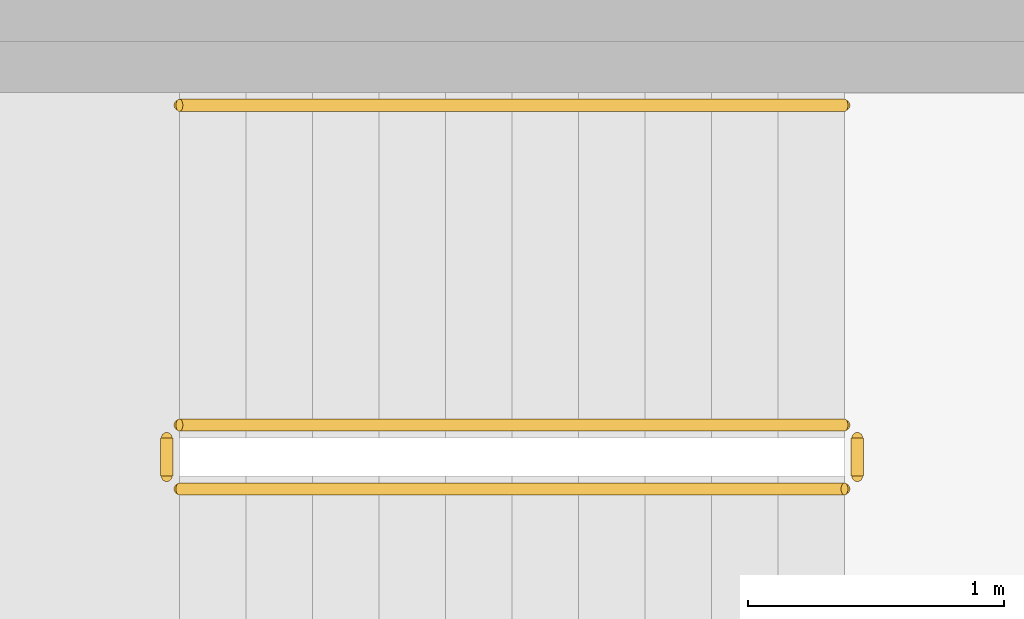
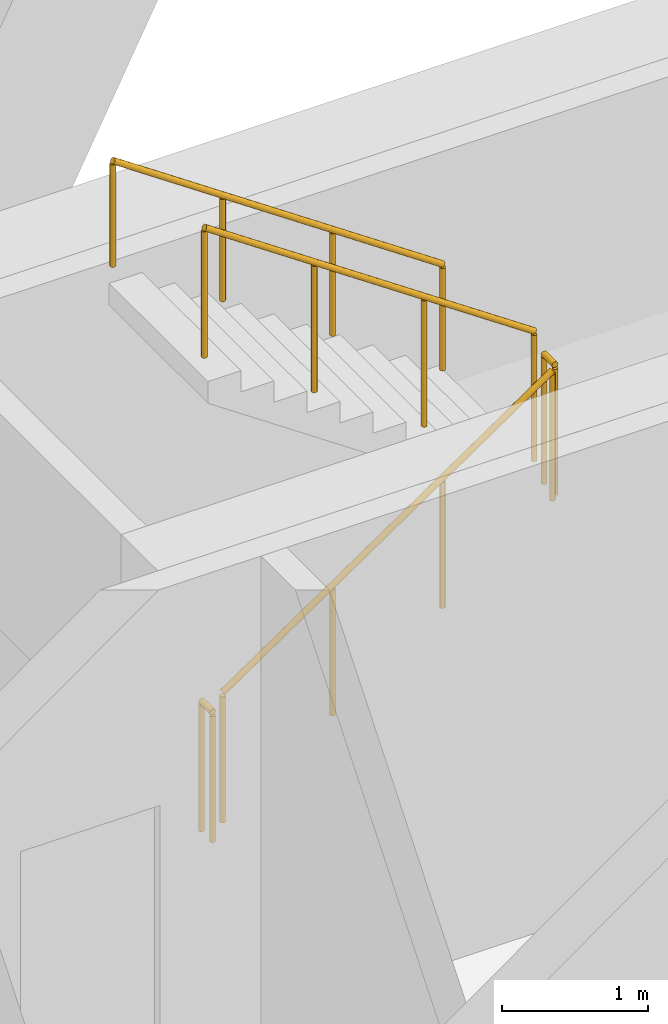
# One storey, part 9 of 9: 5 railings.
"""IFC4 building model written with IfcOpenShell, lengths in metres."""

from ifc_helpers import new_model, si_unit, direction, frame, origin, origin_2d, place, context, subcontext, project, spatial, circle, extrude, material, type_object, element, save


model = new_model("IFC4")

# Units and contexts
model_context = context("Model", 3, precision=1e-05, world=origin(), true_north=direction((0.0, 1.0)))
body_context = subcontext(model_context, "Body", "Model", "MODEL_VIEW")
ifc_project = project(units=[si_unit("LENGTHUNIT", "METRE"), si_unit("AREAUNIT", "SQUARE_METRE"), si_unit("VOLUMEUNIT", "CUBIC_METRE"), si_unit("PLANEANGLEUNIT", "RADIAN"), si_unit("MASSUNIT", "GRAM", prefix="KILO")], contexts=[model_context])

# Site, building, storey
site_placement = place(None, origin())
site = spatial("IfcSite", under=ifc_project, at=site_placement, CompositionType="ELEMENT")
building_placement = place(site_placement, origin())
building = spatial("IfcBuilding", under=site, at=building_placement, Name="White Candle Pilgrim Tower", CompositionType="ELEMENT")
storey_placement = place(building_placement, frame((0.0, 0.0, 271.699951171875)))
storey = spatial("IfcBuildingStorey", under=building, at=storey_placement, Name="L64", CompositionType="ELEMENT", Elevation=271.699951171875)

# Railings
ifc_material = material(Name="Stainless steel", Category="steel")
railing_type_1 = type_object("IfcRailingType", Name="Stair guard stainless steel 1100 mm", PredefinedType="GUARDRAIL", material=ifc_material)
railing_1_placement = place(storey_placement, frame((69.39990234375, 85.550048828125, 0.17724609375)))
element("IfcRailing", 1, at=railing_1_placement, inside=storey, type_object=railing_type_1, Name="L64 ST3 stair guard 1", PredefinedType="GUARDRAIL", context=body_context, shape_type="SweptSolid", body=[
    extrude(circle(Radius=0.02392578125, at=origin_2d()), frame((0.0, 0.0, 1.076171875), z_axis=(0.826240473404, 0.0, 0.563317565952), x_axis=(0.0, 1.0, 0.0)), (0.0, 0.0, 1.0), 3.14697265625),
    extrude(circle(Radius=0.02099609375, at=origin_2d()), origin(), (0.0, 0.0, 1.0), 1.052001953125),
    extrude(circle(Radius=0.02099609375, at=origin_2d()), frame((0.86669921875, 0.0, 0.5908203125)), (0.0, 0.0, 1.0), 1.052001953125),
    extrude(circle(Radius=0.02099609375, at=origin_2d()), frame((1.7333984375, 0.0, 1.181884765625)), (0.0, 0.0, 1.0), 1.052001953125),
    extrude(circle(Radius=0.02099609375, at=origin_2d()), frame((2.60009765625, 0.0, 1.772705078125)), (0.0, 0.0, 1.0), 1.052001953125),
])
railing_2_placement = place(storey_placement, frame((72.050048828125, 85.60009765625, 1.949951171875)))
element("IfcRailing", 2, at=railing_2_placement, inside=storey, type_object=railing_type_1, Name="L64 ST3 stair guard 2", PredefinedType="GUARDRAIL", context=body_context, shape_type="SweptSolid", body=[
    extrude(circle(Radius=0.02392578125, at=origin_2d()), frame((0.0, 0.0, 1.076171875), z_axis=(0.0, 1.0, 0.0), x_axis=(-1.0, 0.0, 0.0)), (0.0, 0.0, 1.0), 0.14990234375),
    extrude(circle(Radius=0.02099609375, at=origin_2d()), origin(), (0.0, 0.0, 1.0), 1.052001953125),
    extrude(circle(Radius=0.02099609375, at=origin_2d()), frame((0.0, 0.14990234375, 0.0)), (0.0, 0.0, 1.0), 1.052001953125),
])
railing_3_placement = place(storey_placement, frame((72.0, 85.800048828125, 2.12744140625)))
element("IfcRailing", 3, at=railing_3_placement, inside=storey, type_object=railing_type_1, Name="L64 ST3 stair guard 3", PredefinedType="GUARDRAIL", context=body_context, shape_type="SweptSolid", body=[
    extrude(circle(Radius=0.02392578125, at=origin_2d()), frame((0.0, 0.0, 1.076171875), z_axis=(-0.826240473404, 0.0, 0.563317565952), x_axis=(0.0, -1.0, 0.0)), (0.0, 0.0, 1.0), 3.14697265625),
    extrude(circle(Radius=0.02099609375, at=origin_2d()), origin(), (0.0, 0.0, 1.0), 1.052001953125),
    extrude(circle(Radius=0.02099609375, at=origin_2d()), frame((-0.86669921875, 0.0, 0.5908203125)), (0.0, 0.0, 1.0), 1.052001953125),
    extrude(circle(Radius=0.02099609375, at=origin_2d()), frame((-1.7333984375, 0.0, 1.181884765625)), (0.0, 0.0, 1.0), 1.052001953125),
    extrude(circle(Radius=0.02099609375, at=origin_2d()), frame((-2.60009765625, 0.0, 1.772705078125)), (0.0, 0.0, 1.0), 1.052001953125),
])
railing_4_placement = place(storey_placement, frame((69.35009765625, 85.60009765625, 0.0)))
element("IfcRailing", 4, at=railing_4_placement, inside=storey, type_object=railing_type_1, Name="L64 ST3 stair guard 4", PredefinedType="GUARDRAIL", context=body_context, shape_type="SweptSolid", body=[
    extrude(circle(Radius=0.02392578125, at=origin_2d()), frame((0.0, 0.0, 1.076171875), z_axis=(0.0, 1.0, 0.0), x_axis=(-1.0, 0.0, 0.0)), (0.0, 0.0, 1.0), 0.14990234375),
    extrude(circle(Radius=0.02099609375, at=origin_2d()), origin(), (0.0, 0.0, 1.0), 1.052001953125),
    extrude(circle(Radius=0.02099609375, at=origin_2d()), frame((0.0, 0.14990234375, 0.0)), (0.0, 0.0, 1.0), 1.052001953125),
])
railing_type_2 = type_object("IfcRailingType", Name="Stair handrail stainless steel", PredefinedType="HANDRAIL", material=ifc_material)
railing_5_placement = place(storey_placement, frame((72.0, 87.050048828125, 2.12744140625)))
element("IfcRailing", 5, at=railing_5_placement, inside=storey, type_object=railing_type_2, Name="L64 ST3 stair handrail 2", PredefinedType="HANDRAIL", context=body_context, shape_type="SweptSolid", body=[
    extrude(circle(Radius=0.02392578125, at=origin_2d()), frame((0.0, 0.0, 0.8759765625), z_axis=(-0.826240473404, 0.0, 0.563317565952), x_axis=(0.0, -1.0, 0.0)), (0.0, 0.0, 1.0), 3.14697265625),
    extrude(circle(Radius=0.02099609375, at=origin_2d()), origin(), (0.0, 0.0, 1.0), 0.851806640625),
    extrude(circle(Radius=0.02099609375, at=origin_2d()), frame((-0.86669921875, 0.0, 0.5908203125)), (0.0, 0.0, 1.0), 0.851806640625),
    extrude(circle(Radius=0.02099609375, at=origin_2d()), frame((-1.7333984375, 0.0, 1.181884765625)), (0.0, 0.0, 1.0), 0.851806640625),
    extrude(circle(Radius=0.02099609375, at=origin_2d()), frame((-2.60009765625, 0.0, 1.772705078125)), (0.0, 0.0, 1.0), 0.851806640625),
])

save(model, "model.ifc")
